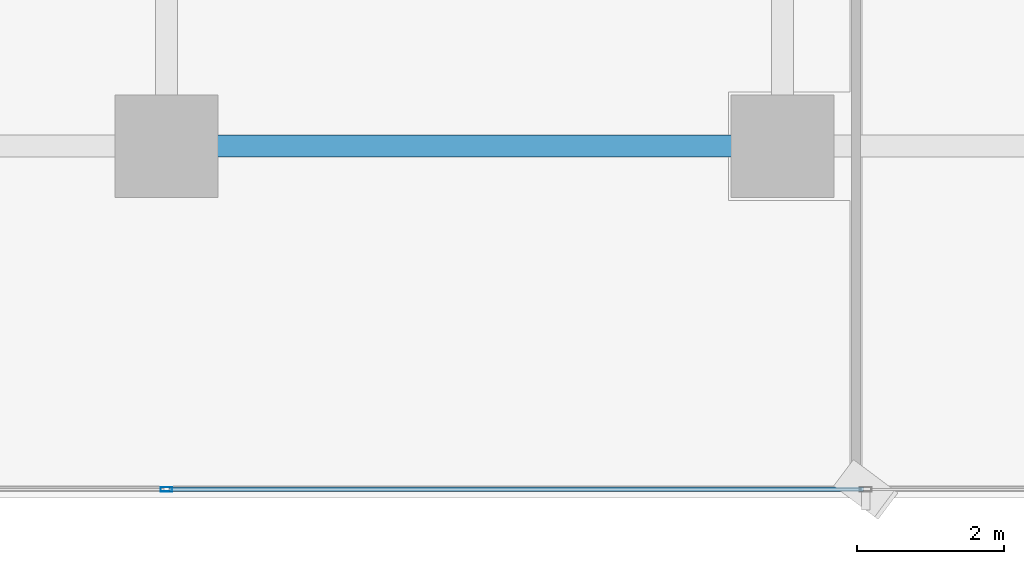
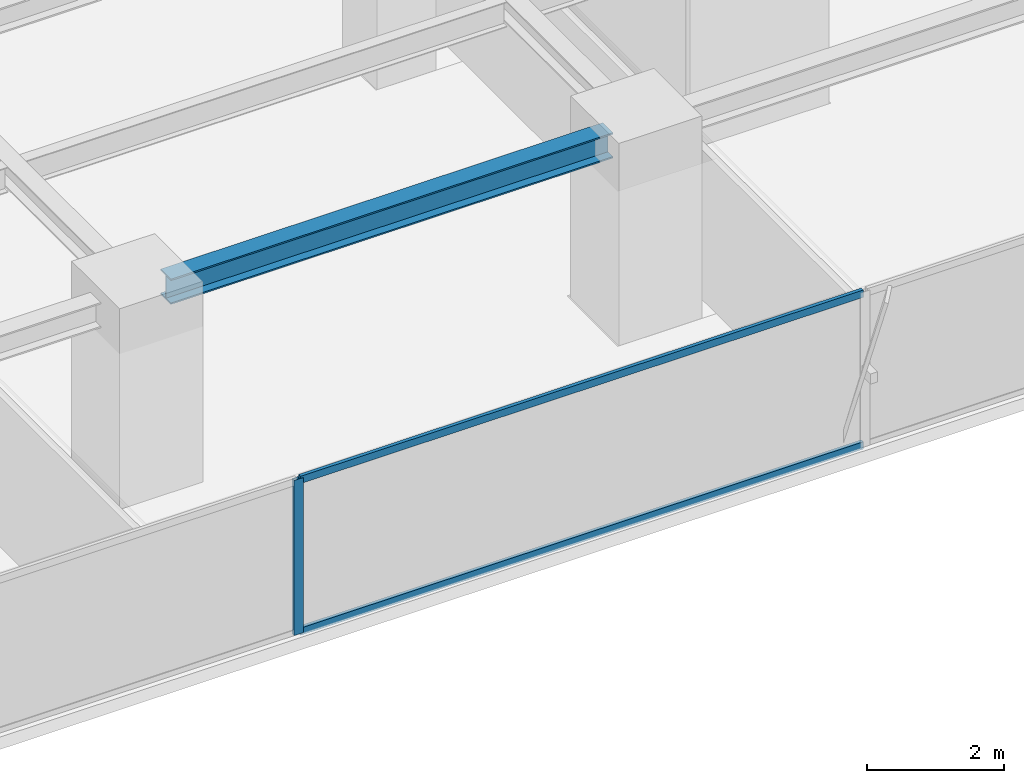
# One storey, part 5 of 27: 3 members, 1 beam, 1 element without a shape of its own.
"""IFC4 building model written with IfcOpenShell, lengths in metres."""

import ifcopenshell
import ifcopenshell.guid

model = None  # the IFC model being written
_history = None  # IfcOwnerHistory: only IFC2X3 demands one
_inside = {}  # id of a spatial element -> (the spatial element, [elements in it])
_under = {}  # id of a project, library or spatial element -> (it, [spatial elements below it])
_declared = {}  # id of a project -> (the project, [libraries it declares])
_typed = {}  # id of a type object -> (the type object, [elements of that type])
_made_of = {}  # id of a material, layer set ... -> (it, [elements and type objects made of it])


def new_model(schema):
    """Start an empty IFC model of exactly this schema.

    Asked for "IFC4X3", IfcOpenShell would pick the latest addendum, in which some entities
    have other attributes; the version numbers below select the first issue.
    IFC2X3 requires an IfcOwnerHistory on every rooted entity: one is made here for all.
    """
    global model, _history
    if schema == "IFC4X3":
        model = ifcopenshell.file(schema_version=(4, 3, 0, 0))
    else:
        model = ifcopenshell.file(schema=schema)
    _inside.clear()
    _under.clear()
    _declared.clear()
    _typed.clear()
    _made_of.clear()
    _history = None
    if model.schema == "IFC2X3":
        org = make("IfcOrganization", Name="unknown")
        user = make(
            "IfcPersonAndOrganization",
            ThePerson=make("IfcPerson", FamilyName="unknown"),
            TheOrganization=org,
        )
        app = make(
            "IfcApplication",
            ApplicationDeveloper=org,
            Version="unknown",
            ApplicationFullName="unknown",
            ApplicationIdentifier="unknown",
        )
        _history = make(
            "IfcOwnerHistory",
            OwningUser=user,
            OwningApplication=app,
            ChangeAction="ADDED",
            CreationDate=0,
        )
    return model


def make(cls, **values):
    """One entity of the class cls with the attributes given. An attribute that is None is left unset."""
    return model.create_entity(
        cls, **{name: value for name, value in values.items() if value is not None}
    )


def rooted(cls, **values):
    """An entity with a GlobalId (a new one), such as an element, a storey or a relation."""
    return make(cls, GlobalId=ifcopenshell.guid.new(), OwnerHistory=_history, **values)


def si_unit(unit_type, name, prefix=None):
    """IfcSIUnit, for example si_unit("LENGTHUNIT", "METRE", prefix="MILLI")."""
    return make("IfcSIUnit", UnitType=unit_type, Prefix=prefix, Name=name)


def assignment(units):
    """IfcUnitAssignment: the units of a project."""
    return None if units is None else make("IfcUnitAssignment", Units=units)


def point(xyz):
    """IfcCartesianPoint."""
    return None if xyz is None else make("IfcCartesianPoint", Coordinates=xyz)


def direction(xyz):
    """IfcDirection."""
    return None if xyz is None else make("IfcDirection", DirectionRatios=xyz)


def frame(location, z_axis=None, x_axis=None):
    """IfcAxis2Placement3D, a coordinate frame: its origin and axes. An axis left out is left unset."""
    return make(
        "IfcAxis2Placement3D",
        Location=point(location),
        Axis=direction(z_axis),
        RefDirection=direction(x_axis),
    )


def frame_2d(location, x_axis=None):
    """IfcAxis2Placement2D, a coordinate frame in the plane: its origin and x axis."""
    return make(
        "IfcAxis2Placement2D", Location=point(location), RefDirection=direction(x_axis)
    )


def origin():
    """The frame at (0, 0, 0) with its axes left unset."""
    return frame((0.0, 0.0, 0.0))


def origin_2d():
    """The frame at (0, 0) in the plane with its x axis left unset."""
    return frame_2d((0.0, 0.0))


def place(relative_to, where):
    """IfcLocalPlacement: puts the frame where relative to a parent placement (None: the world)."""
    return make(
        "IfcLocalPlacement", PlacementRelTo=relative_to, RelativePlacement=where
    )


def context(
    kind, dimensions, precision=None, world=None, true_north=None, identifier=None
):
    """IfcGeometricRepresentationContext, for example the 3D "Model" context."""
    return make(
        "IfcGeometricRepresentationContext",
        ContextIdentifier=identifier,
        ContextType=kind,
        CoordinateSpaceDimension=dimensions,
        Precision=precision,
        WorldCoordinateSystem=world,
        TrueNorth=true_north,
    )


def subcontext(parent, identifier, kind, view, scale=None):
    """IfcGeometricRepresentationSubContext, for example "Body" below "Model"."""
    return make(
        "IfcGeometricRepresentationSubContext",
        ContextIdentifier=identifier,
        ContextType=kind,
        ParentContext=parent,
        TargetScale=scale,
        TargetView=view,
    )


def project(units=None, contexts=None):
    """IfcProject with its units and contexts."""
    return rooted(
        "IfcProject",
        Name="project",
        RepresentationContexts=contexts,
        UnitsInContext=assignment(units),
    )


def spatial(cls, under=None, at=None, **own):
    """A site, building, storey or space (cls), placed at a placement, below another one or the project."""
    s = rooted(cls, ObjectPlacement=at, **own)
    if under is not None:
        _under.setdefault(under.id(), (under, []))[1].append(s)
    return s


def profile(cls, at=None, kind="AREA", **sizes):
    """A parametric profile (cls). Its sizes go by their IFC names, for example OverallWidth=200.0."""
    return make(cls, ProfileType=kind, Position=at, **sizes)


def hollow_rectangle(**sizes):
    """IfcRectangleHollowProfileDef."""
    return profile("IfcRectangleHollowProfileDef", **sizes)


def i_section(**sizes):
    """IfcIShapeProfileDef."""
    return profile("IfcIShapeProfileDef", **sizes)


def extrude(swept, where, along, depth):
    """IfcExtrudedAreaSolid: the profile swept, set in the frame where, extruded along a direction by depth."""
    return make(
        "IfcExtrudedAreaSolid",
        SweptArea=swept,
        Position=where,
        ExtrudedDirection=direction(along),
        Depth=depth,
    )


def shape(context_of_items, identifier, shape_type, items):
    """IfcShapeRepresentation: the items that make up one representation, for example the "Body"."""
    return make(
        "IfcShapeRepresentation",
        ContextOfItems=context_of_items,
        RepresentationIdentifier=identifier,
        RepresentationType=shape_type,
        Items=items,
    )


def source(mapping_origin, context_of_items, identifier, shape_type, items):
    """IfcRepresentationMap: a shape defined once, which mapped items show again and again."""
    return make(
        "IfcRepresentationMap",
        MappingOrigin=mapping_origin,
        MappedRepresentation=shape(context_of_items, identifier, shape_type, items),
    )


def transform(
    local_origin,
    x_axis=None,
    y_axis=None,
    z_axis=None,
    scale=None,
    scale2=None,
    scale3=None,
    uniform=True,
):
    """IfcCartesianTransformationOperator3D, or its non-uniform kind. x_axis, y_axis, z_axis: its Axis1, 2, 3."""
    if uniform:
        return make(
            "IfcCartesianTransformationOperator3D",
            Axis1=direction(x_axis),
            Axis2=direction(y_axis),
            LocalOrigin=point(local_origin),
            Scale=scale,
            Axis3=direction(z_axis),
        )
    return make(
        "IfcCartesianTransformationOperator3DnonUniform",
        Axis1=direction(x_axis),
        Axis2=direction(y_axis),
        LocalOrigin=point(local_origin),
        Scale=scale,
        Axis3=direction(z_axis),
        Scale2=scale2,
        Scale3=scale3,
    )


def mapped(mapping_source, mapping_target):
    """IfcMappedItem: shows the shape of a source again, moved by a transform."""
    return make(
        "IfcMappedItem", MappingSource=mapping_source, MappingTarget=mapping_target
    )


def material(Name=None, Category=None):
    """IfcMaterial."""
    return make("IfcMaterial", Name=Name, Category=Category)


def layer(
    of_material, thickness, ventilated=None, Name=None, Category=None, Priority=None
):
    """IfcMaterialLayer: one layer of a wall or slab, of a material (None: an air gap)."""
    return make(
        "IfcMaterialLayer",
        Material=of_material,
        LayerThickness=thickness,
        IsVentilated=ventilated,
        Name=Name,
        Category=Category,
        Priority=Priority,
    )


def layer_set(layers, Name=None):
    """IfcMaterialLayerSet."""
    return make("IfcMaterialLayerSet", MaterialLayers=layers, LayerSetName=Name)


def material_profile(
    of_material, cross_section, Name=None, Category=None, Priority=None
):
    """IfcMaterialProfile: a cross section and its material."""
    return make(
        "IfcMaterialProfile",
        Name=Name,
        Material=of_material,
        Profile=cross_section,
        Priority=Priority,
        Category=Category,
    )


def profile_set(profiles, Name=None, composite=None):
    """IfcMaterialProfileSet."""
    return make(
        "IfcMaterialProfileSet",
        Name=Name,
        MaterialProfiles=profiles,
        CompositeProfile=composite,
    )


def made_of(thing, what):
    """Note that an element or type object is made of a material, layer set ...; save() writes the relation."""
    if what is not None:
        _made_of.setdefault(what.id(), (what, []))[1].append(thing)
    return thing


def type_object(cls, material=None, **own):
    """A type object (cls), such as IfcWallType, which elements share."""
    return made_of(rooted(cls, **own), material)


def element(
    cls,
    number,
    at=None,
    inside=None,
    cuts=None,
    type_object=None,
    material=None,
    context=None,
    identifier="Body",
    shape_type=None,
    held_by="IfcProductDefinitionShape",
    body=None,
    shapes=None,
    **own,
):
    """One element of the class cls, such as IfcWall. Its Tag is "e" and its number.

    at: its placement. inside: the storey or other place that contains it. cuts: it is an
    opening in that element (IfcRelVoidsElement). A single representation is given by context,
    identifier, shape_type and body (its items); several are given by shapes. held_by: the class
    of the entity that holds the representations. save() writes the other relations.
    """
    e = rooted(cls, Tag="e%d" % number, ObjectPlacement=at, **own)
    if body is not None:
        shapes = [shape(context, identifier, shape_type, body)]
    if shapes is not None:
        e.Representation = make(held_by, Representations=shapes)
    if inside is not None:
        _inside.setdefault(inside.id(), (inside, []))[1].append(e)
    if cuts is not None:
        rooted(
            "IfcRelVoidsElement", RelatingBuildingElement=cuts, RelatedOpeningElement=e
        )
    if type_object is not None:
        _typed.setdefault(type_object.id(), (type_object, []))[1].append(e)
    return made_of(e, material)


def aggregate(whole, parts):
    """IfcRelAggregates: a whole, such as a stair, and the parts it consists of."""
    return rooted("IfcRelAggregates", RelatingObject=whole, RelatedObjects=parts)


def save(model, path):
    """Write the relations noted so far, then the file.

    IfcRelAggregates (storeys below a building ...), IfcRelContainedInSpatialStructure (elements
    in a storey), IfcRelDefinesByType, IfcRelAssociatesMaterial and IfcRelDeclares: one each for
    every whole, place, type object, material and project.
    """
    for whole, parts in _under.values():
        aggregate(whole, parts)
    for where, things in _inside.values():
        rooted(
            "IfcRelContainedInSpatialStructure",
            RelatedElements=things,
            RelatingStructure=where,
        )
    for kind, things in _typed.values():
        rooted("IfcRelDefinesByType", RelatedObjects=things, RelatingType=kind)
    for what, things in _made_of.values():
        rooted("IfcRelAssociatesMaterial", RelatedObjects=things, RelatingMaterial=what)
    for by, libraries in _declared.values():
        rooted("IfcRelDeclares", RelatingContext=by, RelatedDefinitions=libraries)
    model.write(path)


model = new_model("IFC4")

# Units and contexts
model_context = context("Model", 3, precision=1e-05, world=origin(), true_north=direction((0.0, 1.0)))
body_context = subcontext(model_context, "Body", "Model", "MODEL_VIEW")
ifc_project = project(units=[si_unit("LENGTHUNIT", "METRE"), si_unit("AREAUNIT", "SQUARE_METRE"), si_unit("VOLUMEUNIT", "CUBIC_METRE"), si_unit("PLANEANGLEUNIT", "RADIAN"), si_unit("MASSUNIT", "GRAM", prefix="KILO")], contexts=[model_context])

# Site, building, storey
site_placement = place(None, origin())
site = spatial("IfcSite", under=ifc_project, at=site_placement, CompositionType="ELEMENT")
building_placement = place(site_placement, origin())
building = spatial("IfcBuilding", under=site, at=building_placement, Name="Sumidabori Civic Tower", CompositionType="ELEMENT")
storey_placement = place(building_placement, frame((0.0, 0.0, 138.800048828125)))
storey = spatial("IfcBuildingStorey", under=building, at=storey_placement, Name="L35", CompositionType="ELEMENT", Elevation=138.800048828125)

# Beam
ifc_material_1 = material(Name="Steel SN490", Category="steel")
ifc_material_profile_1 = material_profile(ifc_material_1, i_section(OverallWidth=0.300048828125, OverallDepth=0.449951171875, WebThickness=0.013916015625, FlangeThickness=0.02587890625, at=origin_2d()), Name="HE 450 B")
ifc_profile_set_1 = profile_set([ifc_material_profile_1], Name="Steel SN490")
beam_type = type_object("IfcBeamType", Name="BM-GIRD-450", PredefinedType="BEAM", material=ifc_profile_set_1)
shared_shape_1 = source(origin(), body_context, "Body", "SweptSolid", [
    extrude(i_section(OverallWidth=0.300048828125, OverallDepth=0.449951171875, WebThickness=0.013916015625, FlangeThickness=0.02587890625, at=origin_2d()), origin(), (0.0, 0.0, 1.0), 7.43994140625),
])
beam_placement = place(storey_placement, frame((0.47998046875, -18.0, 3.155029296875), z_axis=(1.0, 0.0, 0.0), x_axis=(0.0, 1.0, 0.0)))
element("IfcBeam", 1, at=beam_placement, inside=storey, type_object=beam_type, Name="Primary Girder L35 GX-03", PredefinedType="BEAM", context=body_context, shape_type="MappedRepresentation", body=[
    mapped(shared_shape_1, transform((0.0, 0.0, 0.0), x_axis=(1.0, 0.0, 0.0), y_axis=(0.0, 1.0, 0.0), z_axis=(0.0, 0.0, 1.0), scale=1.0)),
])

# Curtain wall, members
ifc_material_2 = material(Name="Anodised Bronze Aluminium AW-6063-T6", Category="aluminium")
ifc_layer = layer(ifc_material_2, 0.179931640625, Name="Anodised Bronze Aluminium AW-6063-T6")
ifc_layer_set = layer_set([ifc_layer], Name="Anodised Bronze Aluminium AW-6063-T6")
curtain_wall_type = type_object("IfcCurtainWallType", Name="CW-SYS-3", PredefinedType="NOTDEFINED", material=ifc_layer_set)
curtain_wall_placement = place(storey_placement, origin())
curtain_wall = element("IfcCurtainWall", 2, at=curtain_wall_placement, inside=storey, type_object=curtain_wall_type, Name="Curtain Wall CW:L35:R01", PredefinedType="NOTDEFINED")
ifc_material_profile_2 = material_profile(ifc_material_2, hollow_rectangle(XDim=0.06494140625, YDim=0.159912109375, WallThickness=0.0048828125, at=origin_2d()), Name="ALU MULLION 160x65")
ifc_profile_set_2 = profile_set([ifc_material_profile_2], Name="Anodised Bronze Aluminium AW-6063-T6")
member_type_1 = type_object("IfcMemberType", Name="CW-MUL-160", PredefinedType="MULLION", material=ifc_profile_set_2)
shared_shape_2 = source(origin(), body_context, "Body", "SweptSolid", [
    extrude(hollow_rectangle(XDim=0.06494140625, YDim=0.159912109375, WallThickness=0.0048828125, at=origin_2d()), origin(), (0.0, 0.0, 1.0), 2.760009765625),
])
member_1_placement = place(storey_placement, frame((0.0, -22.679931640625, 0.0), z_axis=(0.0, 0.0, 1.0), x_axis=(0.0, 1.0, 0.0)))
member_1 = element("IfcMember", 3, at=member_1_placement, type_object=member_type_1, Name="CW-3 mullion 3", PredefinedType="MULLION", context=body_context, shape_type="MappedRepresentation", body=[
    mapped(shared_shape_2, transform((0.0, 0.0, 0.0), x_axis=(1.0, 0.0, 0.0), y_axis=(0.0, 1.0, 0.0), z_axis=(0.0, 0.0, 1.0), scale=1.0)),
])
ifc_material_profile_3 = material_profile(ifc_material_2, hollow_rectangle(XDim=0.06005859375, YDim=0.1298828125, WallThickness=0.0048828125, at=origin_2d()), Name="ALU TRANSOM 130x60")
ifc_profile_set_3 = profile_set([ifc_material_profile_3], Name="Anodised Bronze Aluminium AW-6063-T6")
member_type_2 = type_object("IfcMemberType", Name="CW-TRN-130", PredefinedType="USERDEFINED", material=ifc_profile_set_3)
shared_shape_3 = source(origin(), body_context, "Body", "SweptSolid", [
    extrude(hollow_rectangle(XDim=0.06005859375, YDim=0.1298828125, WallThickness=0.0048828125, at=origin_2d()), origin(), (0.0, 0.0, 1.0), 9.469970703125),
])
member_2_placement = place(storey_placement, frame((0.032470703125, -22.679931640625, 0.030029296875), z_axis=(1.0, 0.0, 0.0), x_axis=(0.0, 1.0, 0.0)))
member_2 = element("IfcMember", 4, at=member_2_placement, type_object=member_type_2, Name="CW-3 transom 3.1", ObjectType="TRANSOM", PredefinedType="USERDEFINED", context=body_context, shape_type="MappedRepresentation", body=[
    mapped(shared_shape_3, transform((0.0, 0.0, 0.0), x_axis=(1.0, 0.0, 0.0), y_axis=(0.0, 1.0, 0.0), z_axis=(0.0, 0.0, 1.0), scale=1.0)),
])
member_3_placement = place(storey_placement, frame((0.032470703125, -22.679931640625, 2.72998046875), z_axis=(1.0, 0.0, 0.0), x_axis=(0.0, 1.0, 0.0)))
member_3 = element("IfcMember", 5, at=member_3_placement, type_object=member_type_2, Name="CW-3 transom 3.2", ObjectType="TRANSOM", PredefinedType="USERDEFINED", context=body_context, shape_type="MappedRepresentation", body=[
    mapped(shared_shape_3, transform((0.0, 0.0, 0.0), x_axis=(1.0, 0.0, 0.0), y_axis=(0.0, 1.0, 0.0), z_axis=(0.0, 0.0, 1.0), scale=1.0)),
])
aggregate(curtain_wall, [member_1, member_2, member_3])

save(model, "model.ifc")
